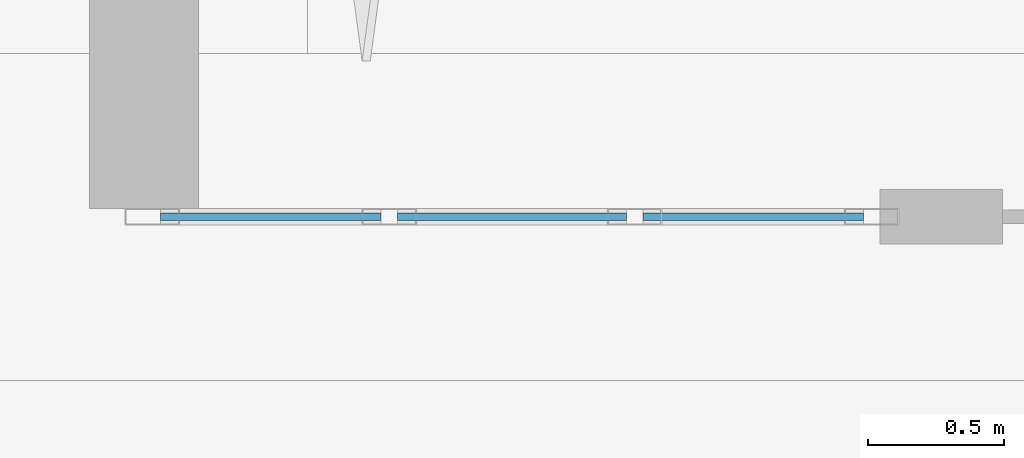
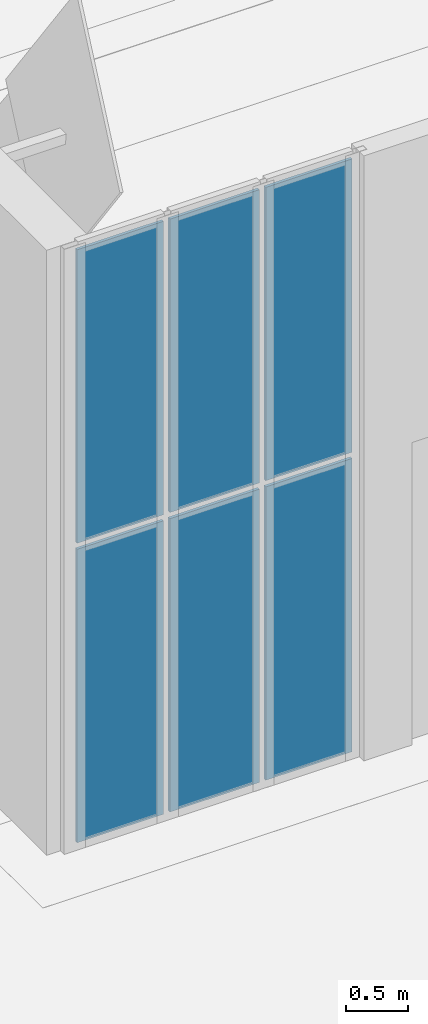
# One storey, part 71 of 198: 6 plates, 1 element without a shape of its own.
"""IFC4 building model written with IfcOpenShell, lengths in metres."""

from ifc_helpers import new_model, si_unit, direction, frame, origin, origin_2d, place, context, subcontext, project, spatial, rectangle, extrude, material, layer, layer_set, type_object, element, aggregate, save


model = new_model("IFC4")

# Units and contexts
model_context = context("Model", 3, precision=1e-05, world=origin(), true_north=direction((0.0, 1.0)))
body_context = subcontext(model_context, "Body", "Model", "MODEL_VIEW")
ifc_project = project(units=[si_unit("LENGTHUNIT", "METRE"), si_unit("AREAUNIT", "SQUARE_METRE"), si_unit("VOLUMEUNIT", "CUBIC_METRE"), si_unit("PLANEANGLEUNIT", "RADIAN"), si_unit("MASSUNIT", "GRAM", prefix="KILO")], contexts=[model_context])

# Site, building, storey
site_placement = place(None, origin())
site = spatial("IfcSite", under=ifc_project, at=site_placement, CompositionType="ELEMENT")
building_placement = place(site_placement, origin())
building = spatial("IfcBuilding", under=site, at=building_placement, Name="Opaline Strait Convention Centre", CompositionType="ELEMENT")
storey_placement = place(building_placement, origin())
storey = spatial("IfcBuildingStorey", under=building, at=storey_placement, Name="L00", CompositionType="ELEMENT", Elevation=0.0)

# Curtain wall, plates
ifc_material_1 = material(Name="Aluminium framed glazing", Category="aluminium")
ifc_layer_1 = layer(ifc_material_1, 0.199951171875)
ifc_layer_set_1 = layer_set([ifc_layer_1], Name="Aluminium framed glazing")
curtain_wall_type = type_object("IfcCurtainWallType", Name="Entrance curtain wall 1500", PredefinedType="NOTDEFINED", material=ifc_layer_set_1)
curtain_wall_placement = place(storey_placement, origin())
curtain_wall = element("IfcCurtainWall", 1, at=curtain_wall_placement, inside=storey, type_object=curtain_wall_type, Name="Entrance curtain wall L00-E1", PredefinedType="NOTDEFINED")
ifc_material_2 = material(Name="Double glazed unit low emissivity", Category="glass")
ifc_layer_2 = layer(ifc_material_2, 0.028076171875)
ifc_layer_set_2 = layer_set([ifc_layer_2], Name="Double glazed unit low emissivity")
plate_type = type_object("IfcPlateType", Name="Curtain wall glass panel 28", PredefinedType="CURTAIN_PANEL", material=ifc_layer_set_2)
plate_1_placement = place(storey_placement, frame((153.465087890625, 144.0, 0.06005859375), z_axis=(0.0, 0.0, 1.0), x_axis=(1.0, 0.0, 0.0)))
plate_1 = element("IfcPlate", 2, at=plate_1_placement, type_object=plate_type, Name="XCW panel 1.1", PredefinedType="CURTAIN_PANEL", context=body_context, shape_type="SweptSolid", body=[
    extrude(rectangle(XDim=0.81005859375, YDim=0.028076171875, at=origin_2d()), origin(), (0.0, 0.0, 1.0), 2.909912109375),
])
plate_2_placement = place(storey_placement, frame((153.465087890625, 144.0, 3.0302734375), z_axis=(0.0, 0.0, 1.0), x_axis=(1.0, 0.0, 0.0)))
plate_2 = element("IfcPlate", 3, at=plate_2_placement, type_object=plate_type, Name="XCW panel 1.2", PredefinedType="CURTAIN_PANEL", context=body_context, shape_type="SweptSolid", body=[
    extrude(rectangle(XDim=0.81005859375, YDim=0.028076171875, at=origin_2d()), origin(), (0.0, 0.0, 1.0), 2.909912109375),
])
plate_3_placement = place(storey_placement, frame((154.35009765625, 144.0, 0.06005859375), z_axis=(0.0, 0.0, 1.0), x_axis=(1.0, 0.0, 0.0)))
plate_3 = element("IfcPlate", 4, at=plate_3_placement, type_object=plate_type, Name="XCW panel 2.1", PredefinedType="CURTAIN_PANEL", context=body_context, shape_type="SweptSolid", body=[
    extrude(rectangle(XDim=0.840087890625, YDim=0.028076171875, at=origin_2d()), origin(), (0.0, 0.0, 1.0), 2.909912109375),
])
plate_4_placement = place(storey_placement, frame((154.35009765625, 144.0, 3.0302734375), z_axis=(0.0, 0.0, 1.0), x_axis=(1.0, 0.0, 0.0)))
plate_4 = element("IfcPlate", 5, at=plate_4_placement, type_object=plate_type, Name="XCW panel 2.2", PredefinedType="CURTAIN_PANEL", context=body_context, shape_type="SweptSolid", body=[
    extrude(rectangle(XDim=0.840087890625, YDim=0.028076171875, at=origin_2d()), origin(), (0.0, 0.0, 1.0), 2.909912109375),
])
plate_5_placement = place(storey_placement, frame((155.235107421875, 144.0, 0.06005859375), z_axis=(0.0, 0.0, 1.0), x_axis=(1.0, 0.0, 0.0)))
plate_5 = element("IfcPlate", 6, at=plate_5_placement, type_object=plate_type, Name="XCW panel 3.1", PredefinedType="CURTAIN_PANEL", context=body_context, shape_type="SweptSolid", body=[
    extrude(rectangle(XDim=0.81005859375, YDim=0.028076171875, at=origin_2d()), origin(), (0.0, 0.0, 1.0), 2.909912109375),
])
plate_6_placement = place(storey_placement, frame((155.235107421875, 144.0, 3.0302734375), z_axis=(0.0, 0.0, 1.0), x_axis=(1.0, 0.0, 0.0)))
plate_6 = element("IfcPlate", 7, at=plate_6_placement, type_object=plate_type, Name="XCW panel 3.2", PredefinedType="CURTAIN_PANEL", context=body_context, shape_type="SweptSolid", body=[
    extrude(rectangle(XDim=0.81005859375, YDim=0.028076171875, at=origin_2d()), origin(), (0.0, 0.0, 1.0), 2.909912109375),
])
aggregate(curtain_wall, [plate_1, plate_2, plate_3, plate_4, plate_5, plate_6])

save(model, "model.ifc")
